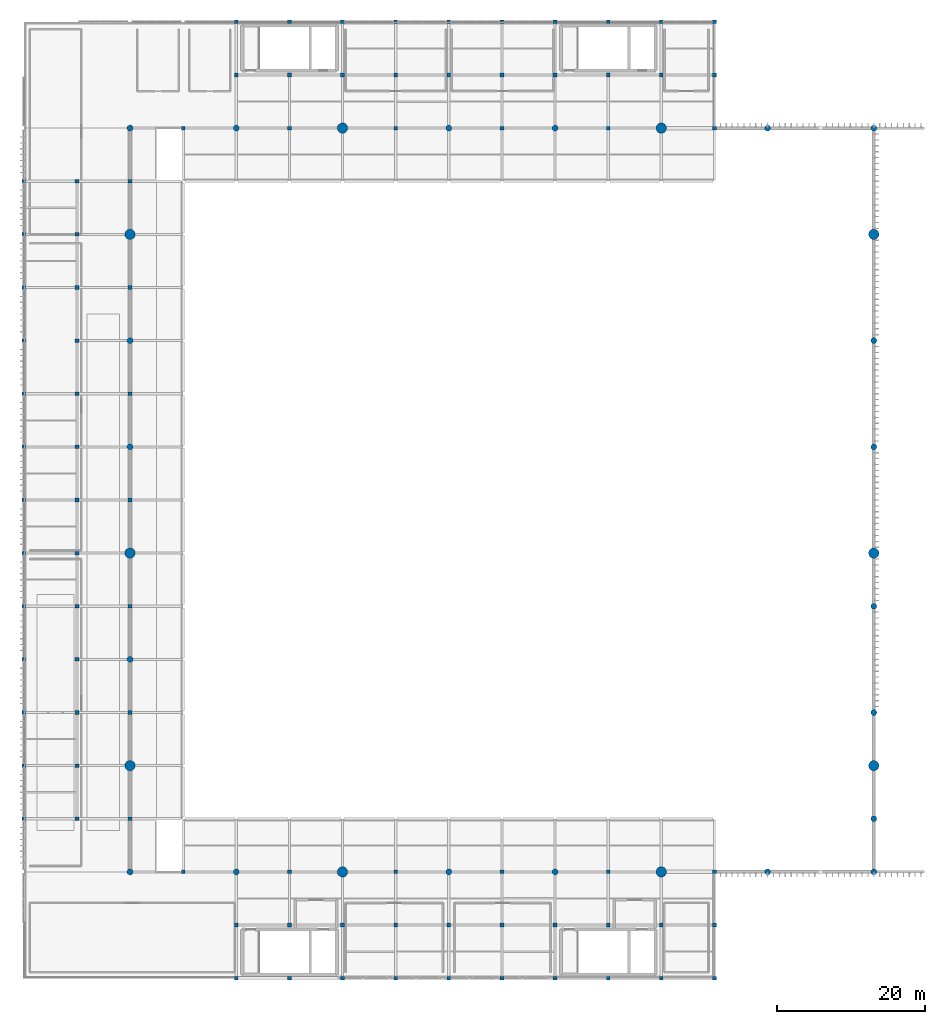
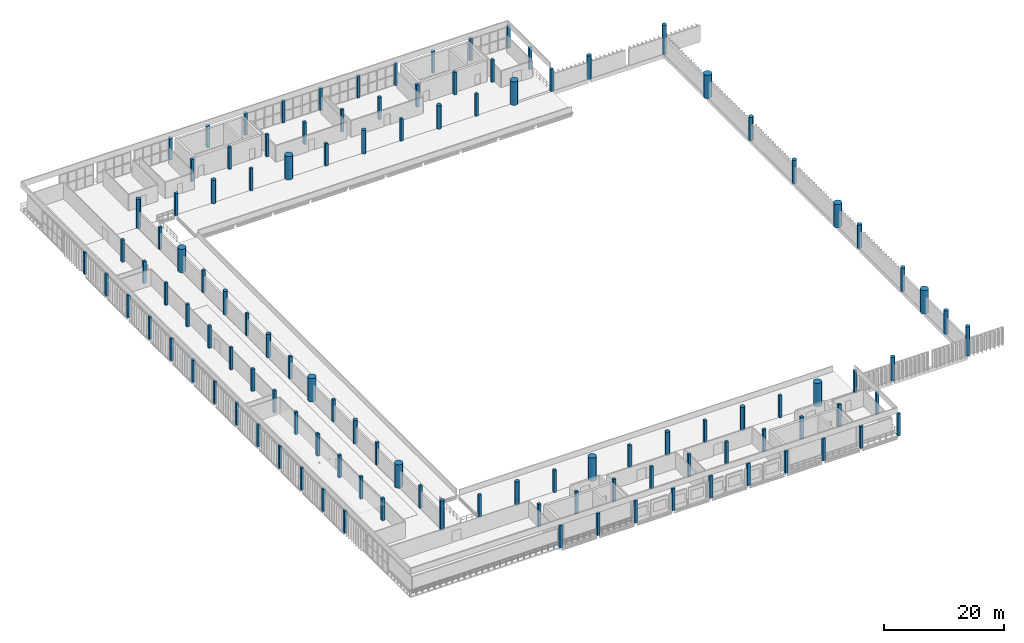
# One storey, part 1 of 64: 115 columns.
"""IFC4 building model written with IfcOpenShell, lengths in metres."""

from ifc_helpers import new_model, si_unit, direction, frame, origin, origin_2d, place, context, subcontext, project, spatial, rectangle, circle, extrude, material, material_profile, profile_set, type_object, element, save


model = new_model("IFC4")

# Units and contexts
model_context = context("Model", 3, precision=1e-05, world=origin(), true_north=direction((0.0, 1.0)))
body_context = subcontext(model_context, "Body", "Model", "MODEL_VIEW")
ifc_project = project(units=[si_unit("LENGTHUNIT", "METRE"), si_unit("AREAUNIT", "SQUARE_METRE"), si_unit("VOLUMEUNIT", "CUBIC_METRE"), si_unit("PLANEANGLEUNIT", "RADIAN"), si_unit("MASSUNIT", "GRAM", prefix="KILO")], contexts=[model_context])

# Site, building, storey
site_placement = place(None, origin())
site = spatial("IfcSite", under=ifc_project, at=site_placement, CompositionType="ELEMENT")
building_placement = place(site_placement, origin())
building = spatial("IfcBuilding", under=site, at=building_placement, Name="Qandorah Velis Arena", CompositionType="ELEMENT")
storey_placement = place(building_placement, frame((0.0, 0.0, 23.0)))
storey = spatial("IfcBuildingStorey", under=building, at=storey_placement, Name="L05", CompositionType="ELEMENT", Elevation=23.0)

# Columns
ifc_material_1 = material(Name="Concrete C50/60", Category="concrete")
ifc_material_profile_1 = material_profile(ifc_material_1, circle(Radius=0.699951171875, at=origin_2d()), Name="MC D1400")
ifc_profile_set_1 = profile_set([ifc_material_profile_1], Name="Concrete C50/60")
column_type_1 = type_object("IfcColumnType", Name="STR-COL-MC1400", PredefinedType="COLUMN", material=ifc_profile_set_1)
for number, where, z_axis, x_axis, name in (
    (1, (14.39990234375, 28.800048828125, 0.0), (0.0, 0.0, 1.0), (1.0, 0.0, 0.0), "Mega column MC1 (L05)"),
    (2, (14.39990234375, 57.60009765625, 0.0), (0.0, 0.0, 1.0), (1.0, 0.0, 0.0), "Mega column MC2 (L05)"),
    (3, (14.39990234375, 100.800048828125, 0.0), (0.0, 0.0, 1.0), (1.0, 0.0, 0.0), "Mega column MC3 (L05)"),
    (4, (43.199951171875, 14.39990234375, 0.0), (0.0, 0.0, 1.0), (1.0, 0.0, 0.0), "Mega column MC4 (L05)"),
    (5, (43.199951171875, 115.199951171875, 0.0), (0.0, 0.0, 1.0), (1.0, 0.0, 0.0), "Mega column MC6 (L05)"),
    (6, (86.39990234375, 14.39990234375, 0.0), (0.0, 0.0, 1.0), (1.0, 0.0, 0.0), "Mega column MC5 (L05)"),
    (7, (86.39990234375, 115.199951171875, 0.0), (0.0, 0.0, 1.0), (1.0, 0.0, 0.0), "Mega column MC7 (L05)"),
    (8, (115.199951171875, 28.800048828125, 0.0), (0.0, 0.0, 1.0), (1.0, 0.0, 0.0), "Mega column MC8 (L05)"),
    (9, (115.199951171875, 57.60009765625, 0.0), (0.0, 0.0, 1.0), (1.0, 0.0, 0.0), "Mega column MC9 (L05)"),
    (10, (115.199951171875, 100.800048828125, 0.0), (0.0, 0.0, 1.0), (1.0, 0.0, 0.0), "Mega column MC10 (L05)"),
):
    element("IfcColumn", number, at=place(storey_placement, frame(where, z_axis=z_axis, x_axis=x_axis)), inside=storey, type_object=column_type_1, Name=name, PredefinedType="COLUMN", context=body_context, shape_type="SweptSolid", body=[
        extrude(circle(Radius=0.699951171875, at=origin_2d()), origin(), (0.0, 0.0, 1.0), 4.75),
    ])
ifc_material_2 = material(Name="Concrete C40/50", Category="concrete")
ifc_material_profile_2 = material_profile(ifc_material_2, rectangle(XDim=0.5, YDim=0.5, at=origin_2d()), Name="RC COL 500x500")
ifc_profile_set_2 = profile_set([ifc_material_profile_2], Name="Concrete C40/50")
column_type_2 = type_object("IfcColumnType", Name="STR-COL-RC500", PredefinedType="COLUMN", material=ifc_profile_set_2)
for number, where, z_axis, x_axis, name in (
    (11, (0.0, 21.60009765625, 0.0), (0.0, 0.0, 1.0), (1.0, 0.0, 0.0), "Structural column L05-000"),
    (12, (0.0, 28.800048828125, 0.0), (0.0, 0.0, 1.0), (1.0, 0.0, 0.0), "Structural column L05-001"),
    (13, (0.0, 36.0, 0.0), (0.0, 0.0, 1.0), (1.0, 0.0, 0.0), "Structural column L05-002"),
    (14, (0.0, 43.199951171875, 0.0), (0.0, 0.0, 1.0), (1.0, 0.0, 0.0), "Structural column L05-003"),
    (15, (0.0, 50.39990234375, 0.0), (0.0, 0.0, 1.0), (1.0, 0.0, 0.0), "Structural column L05-004"),
    (16, (0.0, 57.60009765625, 0.0), (0.0, 0.0, 1.0), (1.0, 0.0, 0.0), "Structural column L05-005"),
    (17, (0.0, 64.800048828125, 0.0), (0.0, 0.0, 1.0), (1.0, 0.0, 0.0), "Structural column L05-006"),
    (18, (0.0, 72.0, 0.0), (0.0, 0.0, 1.0), (1.0, 0.0, 0.0), "Structural column L05-007"),
    (19, (0.0, 79.199951171875, 0.0), (0.0, 0.0, 1.0), (1.0, 0.0, 0.0), "Structural column L05-008"),
    (20, (0.0, 86.39990234375, 0.0), (0.0, 0.0, 1.0), (1.0, 0.0, 0.0), "Structural column L05-009"),
    (21, (0.0, 93.60009765625, 0.0), (0.0, 0.0, 1.0), (1.0, 0.0, 0.0), "Structural column L05-010"),
    (22, (0.0, 100.800048828125, 0.0), (0.0, 0.0, 1.0), (1.0, 0.0, 0.0), "Structural column L05-011"),
    (23, (0.0, 108.0, 0.0), (0.0, 0.0, 1.0), (1.0, 0.0, 0.0), "Structural column L05-012"),
    (24, (7.199951171875, 21.60009765625, 0.0), (0.0, 0.0, 1.0), (1.0, 0.0, 0.0), "Structural column L05-013"),
    (25, (7.199951171875, 28.800048828125, 0.0), (0.0, 0.0, 1.0), (1.0, 0.0, 0.0), "Structural column L05-014"),
    (26, (7.199951171875, 36.0, 0.0), (0.0, 0.0, 1.0), (1.0, 0.0, 0.0), "Structural column L05-015"),
    (27, (7.199951171875, 43.199951171875, 0.0), (0.0, 0.0, 1.0), (1.0, 0.0, 0.0), "Structural column L05-016"),
    (28, (7.199951171875, 50.39990234375, 0.0), (0.0, 0.0, 1.0), (1.0, 0.0, 0.0), "Structural column L05-017"),
    (29, (7.199951171875, 57.60009765625, 0.0), (0.0, 0.0, 1.0), (1.0, 0.0, 0.0), "Structural column L05-018"),
    (30, (7.199951171875, 64.800048828125, 0.0), (0.0, 0.0, 1.0), (1.0, 0.0, 0.0), "Structural column L05-019"),
    (31, (7.199951171875, 72.0, 0.0), (0.0, 0.0, 1.0), (1.0, 0.0, 0.0), "Structural column L05-020"),
    (32, (7.199951171875, 79.199951171875, 0.0), (0.0, 0.0, 1.0), (1.0, 0.0, 0.0), "Structural column L05-021"),
    (33, (7.199951171875, 86.39990234375, 0.0), (0.0, 0.0, 1.0), (1.0, 0.0, 0.0), "Structural column L05-022"),
    (34, (7.199951171875, 93.60009765625, 0.0), (0.0, 0.0, 1.0), (1.0, 0.0, 0.0), "Structural column L05-023"),
    (35, (7.199951171875, 100.800048828125, 0.0), (0.0, 0.0, 1.0), (1.0, 0.0, 0.0), "Structural column L05-024"),
    (36, (7.199951171875, 108.0, 0.0), (0.0, 0.0, 1.0), (1.0, 0.0, 0.0), "Structural column L05-025"),
    (37, (14.39990234375, 21.60009765625, 0.0), (0.0, 0.0, 1.0), (1.0, 0.0, 0.0), "Structural column L05-027"),
    (38, (14.39990234375, 36.0, 0.0), (0.0, 0.0, 1.0), (1.0, 0.0, 0.0), "Structural column L05-029"),
    (39, (14.39990234375, 50.39990234375, 0.0), (0.0, 0.0, 1.0), (1.0, 0.0, 0.0), "Structural column L05-031"),
    (40, (14.39990234375, 64.800048828125, 0.0), (0.0, 0.0, 1.0), (1.0, 0.0, 0.0), "Structural column L05-033"),
    (41, (14.39990234375, 79.199951171875, 0.0), (0.0, 0.0, 1.0), (1.0, 0.0, 0.0), "Structural column L05-035"),
    (42, (14.39990234375, 93.60009765625, 0.0), (0.0, 0.0, 1.0), (1.0, 0.0, 0.0), "Structural column L05-037"),
    (43, (14.39990234375, 108.0, 0.0), (0.0, 0.0, 1.0), (1.0, 0.0, 0.0), "Structural column L05-039"),
    (44, (21.60009765625, 14.39990234375, 0.0), (0.0, 0.0, 1.0), (1.0, 0.0, 0.0), "Structural column L05-041"),
    (45, (21.60009765625, 115.199951171875, 0.0), (0.0, 0.0, 1.0), (1.0, 0.0, 0.0), "Structural column L05-042"),
    (46, (28.800048828125, 0.0, 0.0), (0.0, 0.0, 1.0), (1.0, 0.0, 0.0), "Structural column L05-043"),
    (47, (28.800048828125, 7.199951171875, 0.0), (0.0, 0.0, 1.0), (1.0, 0.0, 0.0), "Structural column L05-044"),
    (48, (28.800048828125, 122.39990234375, 0.0), (0.0, 0.0, 1.0), (1.0, 0.0, 0.0), "Structural column L05-047"),
    (49, (28.800048828125, 129.60009765625, 0.0), (0.0, 0.0, 1.0), (1.0, 0.0, 0.0), "Structural column L05-048"),
    (50, (36.0, 0.0, 0.0), (0.0, 0.0, 1.0), (1.0, 0.0, 0.0), "Structural column L05-049"),
    (51, (36.0, 7.199951171875, 0.0), (0.0, 0.0, 1.0), (1.0, 0.0, 0.0), "Structural column L05-050"),
    (52, (36.0, 14.39990234375, 0.0), (0.0, 0.0, 1.0), (1.0, 0.0, 0.0), "Structural column L05-051"),
    (53, (36.0, 115.199951171875, 0.0), (0.0, 0.0, 1.0), (1.0, 0.0, 0.0), "Structural column L05-052"),
    (54, (36.0, 122.39990234375, 0.0), (0.0, 0.0, 1.0), (1.0, 0.0, 0.0), "Structural column L05-053"),
    (55, (36.0, 129.60009765625, 0.0), (0.0, 0.0, 1.0), (1.0, 0.0, 0.0), "Structural column L05-054"),
    (56, (43.199951171875, 0.0, 0.0), (0.0, 0.0, 1.0), (1.0, 0.0, 0.0), "Structural column L05-055"),
    (57, (43.199951171875, 7.199951171875, 0.0), (0.0, 0.0, 1.0), (1.0, 0.0, 0.0), "Structural column L05-056"),
    (58, (43.199951171875, 122.39990234375, 0.0), (0.0, 0.0, 1.0), (1.0, 0.0, 0.0), "Structural column L05-059"),
    (59, (43.199951171875, 129.60009765625, 0.0), (0.0, 0.0, 1.0), (1.0, 0.0, 0.0), "Structural column L05-060"),
    (60, (50.39990234375, 0.0, 0.0), (0.0, 0.0, 1.0), (1.0, 0.0, 0.0), "Structural column L05-061"),
    (61, (50.39990234375, 7.199951171875, 0.0), (0.0, 0.0, 1.0), (1.0, 0.0, 0.0), "Structural column L05-062"),
    (62, (50.39990234375, 14.39990234375, 0.0), (0.0, 0.0, 1.0), (1.0, 0.0, 0.0), "Structural column L05-063"),
    (63, (50.39990234375, 115.199951171875, 0.0), (0.0, 0.0, 1.0), (1.0, 0.0, 0.0), "Structural column L05-064"),
    (64, (50.39990234375, 122.39990234375, 0.0), (0.0, 0.0, 1.0), (1.0, 0.0, 0.0), "Structural column L05-065"),
    (65, (50.39990234375, 129.60009765625, 0.0), (0.0, 0.0, 1.0), (1.0, 0.0, 0.0), "Structural column L05-066"),
    (66, (57.60009765625, 0.0, 0.0), (0.0, 0.0, 1.0), (1.0, 0.0, 0.0), "Structural column L05-067"),
    (67, (57.60009765625, 7.199951171875, 0.0), (0.0, 0.0, 1.0), (1.0, 0.0, 0.0), "Structural column L05-068"),
    (68, (57.60009765625, 122.39990234375, 0.0), (0.0, 0.0, 1.0), (1.0, 0.0, 0.0), "Structural column L05-071"),
    (69, (57.60009765625, 129.60009765625, 0.0), (0.0, 0.0, 1.0), (1.0, 0.0, 0.0), "Structural column L05-072"),
    (70, (64.800048828125, 0.0, 0.0), (0.0, 0.0, 1.0), (1.0, 0.0, 0.0), "Structural column L05-073"),
    (71, (64.800048828125, 7.199951171875, 0.0), (0.0, 0.0, 1.0), (1.0, 0.0, 0.0), "Structural column L05-074"),
    (72, (64.800048828125, 14.39990234375, 0.0), (0.0, 0.0, 1.0), (1.0, 0.0, 0.0), "Structural column L05-075"),
    (73, (64.800048828125, 115.199951171875, 0.0), (0.0, 0.0, 1.0), (1.0, 0.0, 0.0), "Structural column L05-076"),
    (74, (64.800048828125, 122.39990234375, 0.0), (0.0, 0.0, 1.0), (1.0, 0.0, 0.0), "Structural column L05-077"),
    (75, (64.800048828125, 129.60009765625, 0.0), (0.0, 0.0, 1.0), (1.0, 0.0, 0.0), "Structural column L05-078"),
    (76, (72.0, 0.0, 0.0), (0.0, 0.0, 1.0), (1.0, 0.0, 0.0), "Structural column L05-079"),
    (77, (72.0, 7.199951171875, 0.0), (0.0, 0.0, 1.0), (1.0, 0.0, 0.0), "Structural column L05-080"),
    (78, (72.0, 122.39990234375, 0.0), (0.0, 0.0, 1.0), (1.0, 0.0, 0.0), "Structural column L05-083"),
    (79, (72.0, 129.60009765625, 0.0), (0.0, 0.0, 1.0), (1.0, 0.0, 0.0), "Structural column L05-084"),
    (80, (79.199951171875, 0.0, 0.0), (0.0, 0.0, 1.0), (1.0, 0.0, 0.0), "Structural column L05-085"),
    (81, (79.199951171875, 7.199951171875, 0.0), (0.0, 0.0, 1.0), (1.0, 0.0, 0.0), "Structural column L05-086"),
    (82, (79.199951171875, 14.39990234375, 0.0), (0.0, 0.0, 1.0), (1.0, 0.0, 0.0), "Structural column L05-087"),
    (83, (79.199951171875, 115.199951171875, 0.0), (0.0, 0.0, 1.0), (1.0, 0.0, 0.0), "Structural column L05-088"),
    (84, (79.199951171875, 122.39990234375, 0.0), (0.0, 0.0, 1.0), (1.0, 0.0, 0.0), "Structural column L05-089"),
    (85, (79.199951171875, 129.60009765625, 0.0), (0.0, 0.0, 1.0), (1.0, 0.0, 0.0), "Structural column L05-090"),
    (86, (86.39990234375, 0.0, 0.0), (0.0, 0.0, 1.0), (1.0, 0.0, 0.0), "Structural column L05-091"),
    (87, (86.39990234375, 7.199951171875, 0.0), (0.0, 0.0, 1.0), (1.0, 0.0, 0.0), "Structural column L05-092"),
    (88, (86.39990234375, 122.39990234375, 0.0), (0.0, 0.0, 1.0), (1.0, 0.0, 0.0), "Structural column L05-095"),
    (89, (86.39990234375, 129.60009765625, 0.0), (0.0, 0.0, 1.0), (1.0, 0.0, 0.0), "Structural column L05-096"),
    (90, (93.60009765625, 0.0, 0.0), (0.0, 0.0, 1.0), (1.0, 0.0, 0.0), "Structural column L05-097"),
    (91, (93.60009765625, 7.199951171875, 0.0), (0.0, 0.0, 1.0), (1.0, 0.0, 0.0), "Structural column L05-098"),
    (92, (93.60009765625, 14.39990234375, 0.0), (0.0, 0.0, 1.0), (1.0, 0.0, 0.0), "Structural column L05-099"),
    (93, (93.60009765625, 115.199951171875, 0.0), (0.0, 0.0, 1.0), (1.0, 0.0, 0.0), "Structural column L05-100"),
    (94, (93.60009765625, 122.39990234375, 0.0), (0.0, 0.0, 1.0), (1.0, 0.0, 0.0), "Structural column L05-101"),
    (95, (93.60009765625, 129.60009765625, 0.0), (0.0, 0.0, 1.0), (1.0, 0.0, 0.0), "Structural column L05-102"),
):
    element("IfcColumn", number, at=place(storey_placement, frame(where, z_axis=z_axis, x_axis=x_axis)), inside=storey, type_object=column_type_2, Name=name, PredefinedType="COLUMN", context=body_context, shape_type="SweptSolid", body=[
        extrude(rectangle(XDim=0.5, YDim=0.5, at=origin_2d()), origin(), (0.0, 0.0, 1.0), 4.5),
    ])
ifc_material_profile_3 = material_profile(ifc_material_2, circle(Radius=0.39990234375, at=origin_2d()), Name="RC D800")
ifc_profile_set_3 = profile_set([ifc_material_profile_3], Name="Concrete C40/50")
column_type_3 = type_object("IfcColumnType", Name="STR-COL-RCD800", PredefinedType="COLUMN", material=ifc_profile_set_3)
column_1_placement = place(storey_placement, frame((14.39990234375, 14.39990234375, 0.0), z_axis=(0.0, 0.0, 1.0), x_axis=(1.0, 0.0, 0.0)))
element("IfcColumn", 96, at=column_1_placement, inside=storey, type_object=column_type_3, Name="Bowl drum ring column L05-026", PredefinedType="COLUMN", context=body_context, shape_type="SweptSolid", body=[
    extrude(circle(Radius=0.39990234375, at=origin_2d()), origin(), (0.0, 0.0, 1.0), 5.919921875),
])
for number, where, z_axis, x_axis, name in (
    (97, (14.39990234375, 43.199951171875, 0.0), (0.0, 0.0, 1.0), (1.0, 0.0, 0.0), "Bowl drum ring column L05-030"),
    (98, (14.39990234375, 72.0, 0.0), (0.0, 0.0, 1.0), (1.0, 0.0, 0.0), "Bowl drum ring column L05-034"),
    (99, (14.39990234375, 86.39990234375, 0.0), (0.0, 0.0, 1.0), (1.0, 0.0, 0.0), "Bowl drum ring column L05-036"),
):
    element("IfcColumn", number, at=place(storey_placement, frame(where, z_axis=z_axis, x_axis=x_axis)), inside=storey, type_object=column_type_3, Name=name, PredefinedType="COLUMN", context=body_context, shape_type="SweptSolid", body=[
        extrude(circle(Radius=0.39990234375, at=origin_2d()), origin(), (0.0, 0.0, 1.0), 4.75),
    ])
column_2_placement = place(storey_placement, frame((14.39990234375, 115.199951171875, 0.0), z_axis=(0.0, 0.0, 1.0), x_axis=(1.0, 0.0, 0.0)))
element("IfcColumn", 100, at=column_2_placement, inside=storey, type_object=column_type_3, Name="Bowl drum ring column L05-040", PredefinedType="COLUMN", context=body_context, shape_type="SweptSolid", body=[
    extrude(circle(Radius=0.39990234375, at=origin_2d()), origin(), (0.0, 0.0, 1.0), 5.919921875),
])
for number, where, z_axis, x_axis, name in (
    (101, (28.800048828125, 14.39990234375, 0.0), (0.0, 0.0, 1.0), (1.0, 0.0, 0.0), "Bowl drum ring column L05-045"),
    (102, (28.800048828125, 115.199951171875, 0.0), (0.0, 0.0, 1.0), (1.0, 0.0, 0.0), "Bowl drum ring column L05-046"),
    (103, (57.60009765625, 14.39990234375, 0.0), (0.0, 0.0, 1.0), (1.0, 0.0, 0.0), "Bowl drum ring column L05-069"),
    (104, (57.60009765625, 115.199951171875, 0.0), (0.0, 0.0, 1.0), (1.0, 0.0, 0.0), "Bowl drum ring column L05-070"),
    (105, (72.0, 14.39990234375, 0.0), (0.0, 0.0, 1.0), (1.0, 0.0, 0.0), "Bowl drum ring column L05-081"),
    (106, (72.0, 115.199951171875, 0.0), (0.0, 0.0, 1.0), (1.0, 0.0, 0.0), "Bowl drum ring column L05-082"),
    (107, (100.800048828125, 14.39990234375, 0.0), (0.0, 0.0, 1.0), (1.0, 0.0, 0.0), "Bowl drum ring column L05-103"),
    (108, (100.800048828125, 115.199951171875, 0.0), (0.0, 0.0, 1.0), (1.0, 0.0, 0.0), "Bowl drum ring column L05-104"),
):
    element("IfcColumn", number, at=place(storey_placement, frame(where, z_axis=z_axis, x_axis=x_axis)), inside=storey, type_object=column_type_3, Name=name, PredefinedType="COLUMN", context=body_context, shape_type="SweptSolid", body=[
        extrude(circle(Radius=0.39990234375, at=origin_2d()), origin(), (0.0, 0.0, 1.0), 4.75),
    ])
column_3_placement = place(storey_placement, frame((115.199951171875, 14.39990234375, 0.0), z_axis=(0.0, 0.0, 1.0), x_axis=(1.0, 0.0, 0.0)))
element("IfcColumn", 109, at=column_3_placement, inside=storey, type_object=column_type_3, Name="Bowl drum ring column L05-105", PredefinedType="COLUMN", context=body_context, shape_type="SweptSolid", body=[
    extrude(circle(Radius=0.39990234375, at=origin_2d()), origin(), (0.0, 0.0, 1.0), 5.919921875),
])
for number, where, z_axis, x_axis, name in (
    (110, (115.199951171875, 21.60009765625, 0.0), (0.0, 0.0, 1.0), (1.0, 0.0, 0.0), "Bowl drum ring column L05-106"),
    (111, (115.199951171875, 36.0, 0.0), (0.0, 0.0, 1.0), (1.0, 0.0, 0.0), "Bowl drum ring column L05-108"),
    (112, (115.199951171875, 50.39990234375, 0.0), (0.0, 0.0, 1.0), (1.0, 0.0, 0.0), "Bowl drum ring column L05-109"),
    (113, (115.199951171875, 72.0, 0.0), (0.0, 0.0, 1.0), (1.0, 0.0, 0.0), "Bowl drum ring column L05-111"),
    (114, (115.199951171875, 86.39990234375, 0.0), (0.0, 0.0, 1.0), (1.0, 0.0, 0.0), "Bowl drum ring column L05-112"),
):
    element("IfcColumn", number, at=place(storey_placement, frame(where, z_axis=z_axis, x_axis=x_axis)), inside=storey, type_object=column_type_3, Name=name, PredefinedType="COLUMN", context=body_context, shape_type="SweptSolid", body=[
        extrude(circle(Radius=0.39990234375, at=origin_2d()), origin(), (0.0, 0.0, 1.0), 4.75),
    ])
column_4_placement = place(storey_placement, frame((115.199951171875, 115.199951171875, 0.0), z_axis=(0.0, 0.0, 1.0), x_axis=(1.0, 0.0, 0.0)))
element("IfcColumn", 115, at=column_4_placement, inside=storey, type_object=column_type_3, Name="Bowl drum ring column L05-114", PredefinedType="COLUMN", context=body_context, shape_type="SweptSolid", body=[
    extrude(circle(Radius=0.39990234375, at=origin_2d()), origin(), (0.0, 0.0, 1.0), 5.919921875),
])

save(model, "model.ifc")
